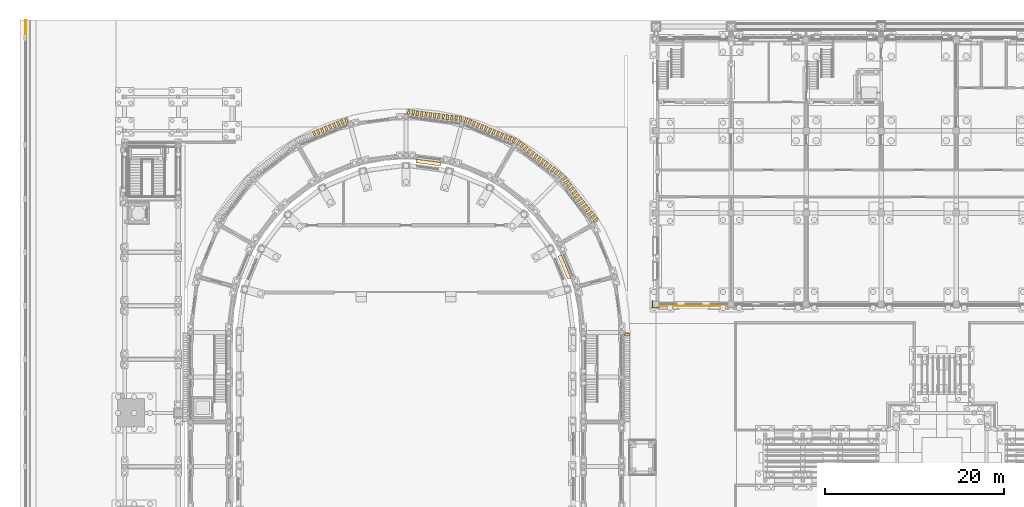
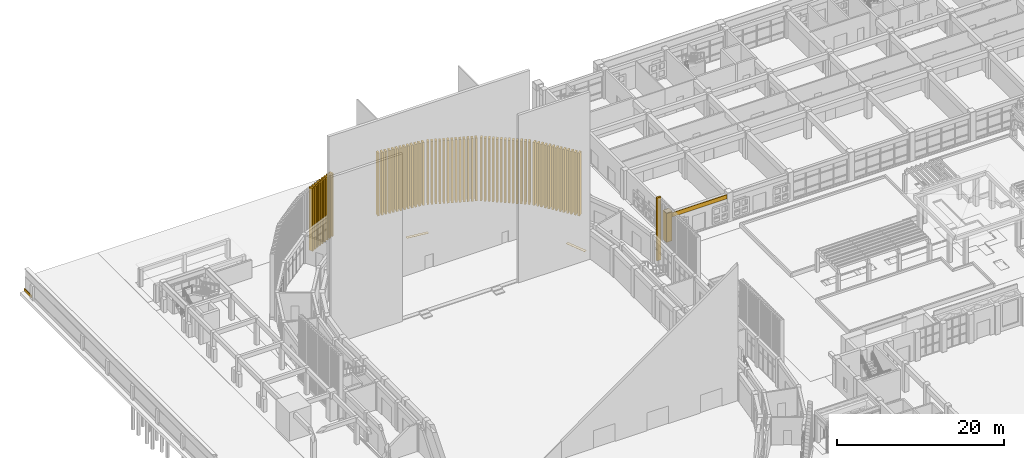
# One storey, part 101 of 112: 68 coverings.
"""IFC4 building model written with IfcOpenShell, lengths in metres."""

from ifc_helpers import new_model, si_unit, direction, frame, origin, origin_2d, place, context, subcontext, project, spatial, polyline, rectangle, outline, extrude, material, layer, layer_set, type_object, element, save


model = new_model("IFC4")

# Units and contexts
model_context = context("Model", 3, precision=1e-05, world=origin(), true_north=direction((0.0, 1.0)))
body_context = subcontext(model_context, "Body", "Model", "MODEL_VIEW")
ifc_project = project(units=[si_unit("LENGTHUNIT", "METRE"), si_unit("AREAUNIT", "SQUARE_METRE"), si_unit("VOLUMEUNIT", "CUBIC_METRE"), si_unit("PLANEANGLEUNIT", "RADIAN"), si_unit("MASSUNIT", "GRAM", prefix="KILO")], contexts=[model_context])

# Site, building, storey
site_placement = place(None, origin())
site = spatial("IfcSite", under=ifc_project, at=site_placement, CompositionType="ELEMENT")
building_placement = place(site_placement, origin())
building = spatial("IfcBuilding", under=site, at=building_placement, Name="Wasatch Bagh Community Centre", CompositionType="ELEMENT")
storey_placement = place(building_placement, origin())
storey = spatial("IfcBuildingStorey", under=building, at=storey_placement, Name="L00", CompositionType="ELEMENT", Elevation=0.0)

# Coverings
ifc_material_1 = material(Name="Cast stone cladding", Category="masonry")
ifc_layer_1 = layer(ifc_material_1, 0.080078125)
ifc_layer_set_1 = layer_set([ifc_layer_1], Name="Cast stone cladding")
covering_type_1 = type_object("IfcCoveringType", Name="CL-B7 beam facing", PredefinedType="CLADDING", material=ifc_layer_set_1)
covering_1_placement = place(storey_placement, frame((0.0, 0.0, 3.320068359375)))
element("IfcCovering", 1, at=covering_1_placement, inside=storey, type_object=covering_type_1, Name="Beam facing", PredefinedType="CLADDING", context=body_context, shape_type="SweptSolid", body=[
    extrude(outline(polyline([(64.35009765625, 68.02490234375), (72.050048828125, 68.02490234375), (72.050048828125, 67.945068359375), (64.35009765625, 67.945068359375), (64.35009765625, 68.02490234375)])), origin(), (0.0, 0.0, 1.0), 0.599853515625),
])
ifc_layer_2 = layer(ifc_material_1, 0.080078125)
ifc_layer_set_2 = layer_set([ifc_layer_2], Name="Cast stone cladding")
covering_type_2 = type_object("IfcCoveringType", Name="CL-C1 column facing", PredefinedType="CLADDING", material=ifc_layer_set_2)
covering_2_placement = place(storey_placement, origin())
element("IfcCovering", 2, at=covering_2_placement, inside=storey, type_object=covering_type_2, Name="Column facing", PredefinedType="CLADDING", context=body_context, shape_type="SweptSolid", body=[
    extrude(outline(polyline([(63.570068359375, 67.77001953125), (63.570068359375, 68.550048828125), (63.64990234375, 68.550048828125), (63.64990234375, 67.85009765625), (64.35009765625, 67.85009765625), (64.35009765625, 67.77001953125), (63.570068359375, 67.77001953125)])), origin(), (0.0, 0.0, 1.0), 4.199951171875),
])
covering_3_placement = place(storey_placement, frame((0.0, 0.0, 4.199951171875)))
element("IfcCovering", 3, at=covering_3_placement, inside=storey, type_object=covering_type_2, Name="Column facing", PredefinedType="CLADDING", context=body_context, shape_type="SweptSolid", body=[
    extrude(outline(polyline([(64.35009765625, 67.77001953125), (63.64990234375, 67.77001953125), (63.64990234375, 67.85009765625), (63.570068359375, 67.85009765625), (63.570068359375, 68.550048828125), (64.35009765625, 68.550048828125), (64.35009765625, 67.77001953125)])), origin(), (0.0, 0.0, 1.0), 0.080078125),
])
ifc_material_2 = material(Name="Aluminium chequer plate", Category="aluminium")
ifc_layer_3 = layer(ifc_material_2, 0.02001953125)
ifc_layer_set_3 = layer_set([ifc_layer_3], Name="Aluminium chequer plate")
covering_type_3 = type_object("IfcCoveringType", Name="Drum joint cover plate", PredefinedType="FLOORING", material=ifc_layer_set_3)
for number, where, z_axis, x_axis, name in (
    (4, (53.738525390625, 72.347412109375, 0.0), (0.0, 0.0, 1.0), (0.923879532511, 0.382683432365, 0.0), "Joint cover plate North-East"),
    (5, (38.506103515625, 84.03564453125, 0.0), (0.0, 0.0, 1.0), (0.13052619222, 0.991444861374, 0.0), "Joint cover plate Stage Door"),
):
    element("IfcCovering", number, at=place(storey_placement, frame(where, z_axis=z_axis, x_axis=x_axis)), inside=storey, type_object=covering_type_3, Name=name, PredefinedType="FLOORING", context=body_context, shape_type="SweptSolid", body=[
        extrude(rectangle(XDim=0.39990234375, YDim=2.800048828125, at=origin_2d()), origin(), (0.0, 0.0, 1.0), 0.02001953125),
    ])
ifc_material_3 = material(Name="White precast concrete C40/50", Category="concrete")
ifc_layer_4 = layer(ifc_material_3, 0.25)
ifc_layer_set_4 = layer_set([ifc_layer_4], Name="White precast concrete C40/50")
covering_type_4 = type_object("IfcCoveringType", Name="Drum vertical fin", PredefinedType="CLADDING", material=ifc_layer_set_4)
for number, where, z_axis, x_axis, name in (
    (6, (60.719970703125, 64.75, 0.2998046875), (0.0, 0.0, 1.0), (0.0, 1.0, 0.0), "Fin 18.10"),
    (7, (57.218994140625, 77.6142578125, 0.2998046875), (0.0, 0.0, 1.0), (-0.608761429009, 0.793353340291, 0.0), "Fin 21.1"),
    (8, (56.923828125, 77.9990234375, 0.2998046875), (0.0, 0.0, 1.0), (-0.608761429009, 0.793353340291, 0.0), "Fin 21.2"),
    (9, (56.628662109375, 78.3837890625, 0.2998046875), (0.0, 0.0, 1.0), (-0.608761429009, 0.793353340291, 0.0), "Fin 21.3"),
    (10, (56.33349609375, 78.7685546875, 0.2998046875), (0.0, 0.0, 1.0), (-0.608761429009, 0.793353340291, 0.0), "Fin 21.4"),
    (11, (56.038330078125, 79.1533203125, 0.2998046875), (0.0, 0.0, 1.0), (-0.608761429009, 0.793353340291, 0.0), "Fin 21.5"),
    (12, (55.742919921875, 79.5380859375, 0.2998046875), (0.0, 0.0, 1.0), (-0.608761429009, 0.793353340291, 0.0), "Fin 21.6"),
    (13, (55.44775390625, 79.9228515625, 0.2998046875), (0.0, 0.0, 1.0), (-0.608761429009, 0.793353340291, 0.0), "Fin 21.7"),
    (14, (55.152587890625, 80.3076171875, 0.2998046875), (0.0, 0.0, 1.0), (-0.608761429009, 0.793353340291, 0.0), "Fin 21.8"),
    (15, (54.857421875, 80.6923828125, 0.2998046875), (0.0, 0.0, 1.0), (-0.608761429009, 0.793353340291, 0.0), "Fin 21.9"),
    (16, (54.56201171875, 81.0771484375, 0.2998046875), (0.0, 0.0, 1.0), (-0.608761429009, 0.793353340291, 0.0), "Fin 21.10"),
    (17, (54.266845703125, 81.461669921875, 0.2998046875), (0.0, 0.0, 1.0), (-0.608761429009, 0.793353340291, 0.0), "Fin 21.11"),
    (18, (53.9716796875, 81.846435546875, 0.2998046875), (0.0, 0.0, 1.0), (-0.608761429009, 0.793353340291, 0.0), "Fin 21.12"),
    (19, (53.676513671875, 82.231201171875, 0.2998046875), (0.0, 0.0, 1.0), (-0.608761429009, 0.793353340291, 0.0), "Fin 21.13"),
    (20, (53.231201171875, 82.676513671875, 0.2998046875), (0.0, 0.0, 1.0), (-0.793353340291, 0.608761429009, 0.0), "Fin 22.1"),
    (21, (52.846435546875, 82.9716796875, 0.2998046875), (0.0, 0.0, 1.0), (-0.793353340291, 0.608761429009, 0.0), "Fin 22.2"),
    (22, (52.461669921875, 83.266845703125, 0.2998046875), (0.0, 0.0, 1.0), (-0.793353340291, 0.608761429009, 0.0), "Fin 22.3"),
    (23, (52.0771484375, 83.56201171875, 0.2998046875), (0.0, 0.0, 1.0), (-0.793353340291, 0.608761429009, 0.0), "Fin 22.4"),
    (24, (51.6923828125, 83.857421875, 0.2998046875), (0.0, 0.0, 1.0), (-0.793353340291, 0.608761429009, 0.0), "Fin 22.5"),
    (25, (51.3076171875, 84.152587890625, 0.2998046875), (0.0, 0.0, 1.0), (-0.793353340291, 0.608761429009, 0.0), "Fin 22.6"),
    (26, (50.9228515625, 84.44775390625, 0.2998046875), (0.0, 0.0, 1.0), (-0.793353340291, 0.608761429009, 0.0), "Fin 22.7"),
    (27, (50.5380859375, 84.742919921875, 0.2998046875), (0.0, 0.0, 1.0), (-0.793353340291, 0.608761429009, 0.0), "Fin 22.8"),
    (28, (50.1533203125, 85.038330078125, 0.2998046875), (0.0, 0.0, 1.0), (-0.793353340291, 0.608761429009, 0.0), "Fin 22.9"),
    (29, (49.7685546875, 85.33349609375, 0.2998046875), (0.0, 0.0, 1.0), (-0.793353340291, 0.608761429009, 0.0), "Fin 22.10"),
    (30, (49.3837890625, 85.628662109375, 0.2998046875), (0.0, 0.0, 1.0), (-0.793353340291, 0.608761429009, 0.0), "Fin 22.11"),
    (31, (48.9990234375, 85.923828125, 0.2998046875), (0.0, 0.0, 1.0), (-0.793353340291, 0.608761429009, 0.0), "Fin 22.12"),
    (32, (48.6142578125, 86.218994140625, 0.2998046875), (0.0, 0.0, 1.0), (-0.793353340291, 0.608761429009, 0.0), "Fin 22.13"),
    (33, (48.069091796875, 86.533935546875, 0.2998046875), (0.0, 0.0, 1.0), (-0.923879532511, 0.382683432365, 0.0), "Fin 23.1"),
    (34, (47.62109375, 86.719482421875, 0.2998046875), (0.0, 0.0, 1.0), (-0.923879532511, 0.382683432365, 0.0), "Fin 23.2"),
    (35, (47.173095703125, 86.905029296875, 0.2998046875), (0.0, 0.0, 1.0), (-0.923879532511, 0.382683432365, 0.0), "Fin 23.3"),
    (36, (46.72509765625, 87.090576171875, 0.2998046875), (0.0, 0.0, 1.0), (-0.923879532511, 0.382683432365, 0.0), "Fin 23.4"),
    (37, (46.27685546875, 87.2763671875, 0.2998046875), (0.0, 0.0, 1.0), (-0.923879532511, 0.382683432365, 0.0), "Fin 23.5"),
    (38, (45.828857421875, 87.4619140625, 0.2998046875), (0.0, 0.0, 1.0), (-0.923879532511, 0.382683432365, 0.0), "Fin 23.6"),
    (39, (45.380859375, 87.6474609375, 0.2998046875), (0.0, 0.0, 1.0), (-0.923879532511, 0.382683432365, 0.0), "Fin 23.7"),
    (40, (44.932861328125, 87.8330078125, 0.2998046875), (0.0, 0.0, 1.0), (-0.923879532511, 0.382683432365, 0.0), "Fin 23.8"),
    (41, (44.48486328125, 88.0185546875, 0.2998046875), (0.0, 0.0, 1.0), (-0.923879532511, 0.382683432365, 0.0), "Fin 23.9"),
    (42, (44.036865234375, 88.2041015625, 0.2998046875), (0.0, 0.0, 1.0), (-0.923879532511, 0.382683432365, 0.0), "Fin 23.10"),
    (43, (43.588623046875, 88.3896484375, 0.2998046875), (0.0, 0.0, 1.0), (-0.923879532511, 0.382683432365, 0.0), "Fin 23.11"),
    (44, (43.140625, 88.575439453125, 0.2998046875), (0.0, 0.0, 1.0), (-0.923879532511, 0.382683432365, 0.0), "Fin 23.12"),
    (45, (42.692626953125, 88.760986328125, 0.2998046875), (0.0, 0.0, 1.0), (-0.923879532511, 0.382683432365, 0.0), "Fin 23.13"),
    (46, (42.08447265625, 88.923828125, 0.2998046875), (0.0, 0.0, 1.0), (-0.991444861374, 0.13052619222, 0.0), "Fin 24.1"),
    (47, (41.603759765625, 88.987060546875, 0.2998046875), (0.0, 0.0, 1.0), (-0.991444861374, 0.13052619222, 0.0), "Fin 24.2"),
    (48, (41.122802734375, 89.050537109375, 0.2998046875), (0.0, 0.0, 1.0), (-0.991444861374, 0.13052619222, 0.0), "Fin 24.3"),
    (49, (40.64208984375, 89.11376953125, 0.2998046875), (0.0, 0.0, 1.0), (-0.991444861374, 0.13052619222, 0.0), "Fin 24.4"),
    (50, (40.1611328125, 89.177001953125, 0.2998046875), (0.0, 0.0, 1.0), (-0.991444861374, 0.13052619222, 0.0), "Fin 24.5"),
    (51, (39.680419921875, 89.240478515625, 0.2998046875), (0.0, 0.0, 1.0), (-0.991444861374, 0.13052619222, 0.0), "Fin 24.6"),
    (52, (39.19970703125, 89.3037109375, 0.2998046875), (0.0, 0.0, 1.0), (-0.991444861374, 0.13052619222, 0.0), "Fin 24.7"),
    (53, (38.71875, 89.366943359375, 0.2998046875), (0.0, 0.0, 1.0), (-0.991444861374, 0.13052619222, 0.0), "Fin 24.8"),
    (54, (38.238037109375, 89.43017578125, 0.2998046875), (0.0, 0.0, 1.0), (-0.991444861374, 0.13052619222, 0.0), "Fin 24.9"),
    (55, (37.75732421875, 89.49365234375, 0.2998046875), (0.0, 0.0, 1.0), (-0.991444861374, 0.13052619222, 0.0), "Fin 24.10"),
    (56, (37.2763671875, 89.556884765625, 0.2998046875), (0.0, 0.0, 1.0), (-0.991444861374, 0.13052619222, 0.0), "Fin 24.11"),
    (57, (36.795654296875, 89.6201171875, 0.2998046875), (0.0, 0.0, 1.0), (-0.991444861374, 0.13052619222, 0.0), "Fin 24.12"),
    (58, (36.314697265625, 89.68359375, 0.2998046875), (0.0, 0.0, 1.0), (-0.991444861374, 0.13052619222, 0.0), "Fin 24.13"),
    (59, (29.307373046875, 88.760986328125, 0.2998046875), (0.0, 0.0, 1.0), (-0.923879532511, -0.382683432365, 0.0), "Fin 26.1"),
    (60, (28.859375, 88.575439453125, 0.2998046875), (0.0, 0.0, 1.0), (-0.923879532511, -0.382683432365, 0.0), "Fin 26.2"),
    (61, (28.411376953125, 88.3896484375, 0.2998046875), (0.0, 0.0, 1.0), (-0.923879532511, -0.382683432365, 0.0), "Fin 26.3"),
    (62, (27.963134765625, 88.2041015625, 0.2998046875), (0.0, 0.0, 1.0), (-0.923879532511, -0.382683432365, 0.0), "Fin 26.4"),
    (63, (27.51513671875, 88.0185546875, 0.2998046875), (0.0, 0.0, 1.0), (-0.923879532511, -0.382683432365, 0.0), "Fin 26.5"),
    (64, (27.067138671875, 87.8330078125, 0.2998046875), (0.0, 0.0, 1.0), (-0.923879532511, -0.382683432365, 0.0), "Fin 26.6"),
    (65, (26.619140625, 87.6474609375, 0.2998046875), (0.0, 0.0, 1.0), (-0.923879532511, -0.382683432365, 0.0), "Fin 26.7"),
    (66, (26.171142578125, 87.4619140625, 0.2998046875), (0.0, 0.0, 1.0), (-0.923879532511, -0.382683432365, 0.0), "Fin 26.8"),
    (67, (25.72314453125, 87.2763671875, 0.2998046875), (0.0, 0.0, 1.0), (-0.923879532511, -0.382683432365, 0.0), "Fin 26.9"),
):
    element("IfcCovering", number, at=place(storey_placement, frame(where, z_axis=z_axis, x_axis=x_axis)), inside=storey, type_object=covering_type_4, Name=name, PredefinedType="CLADDING", context=body_context, shape_type="SweptSolid", body=[
        extrude(rectangle(XDim=0.25, YDim=0.550048828125, at=origin_2d()), origin(), (0.0, 0.0, 1.0), 9.199951171875),
    ])
ifc_layer_5 = layer(ifc_material_3, 0.10009765625)
ifc_layer_set_5 = layer_set([ifc_layer_5], Name="White precast concrete C40/50")
covering_type_5 = type_object("IfcCoveringType", Name="Quay plinth band 100", PredefinedType="CLADDING", material=ifc_layer_set_5)
covering_4_placement = place(storey_placement, frame((-6.60009765625, 99.14990234375, -2.050048828125), z_axis=(0.0, 0.0, 1.0), x_axis=(1.0, 0.0, 0.0)))
element("IfcCovering", 68, at=covering_4_placement, inside=storey, type_object=covering_type_5, Name="Quay plinth band 16", PredefinedType="CLADDING", context=body_context, shape_type="SweptSolid", body=[
    extrude(rectangle(XDim=0.10009765625, YDim=1.699951171875, at=origin_2d()), origin(), (0.0, 0.0, 1.0), 0.39990234375),
])

save(model, "model.ifc")
